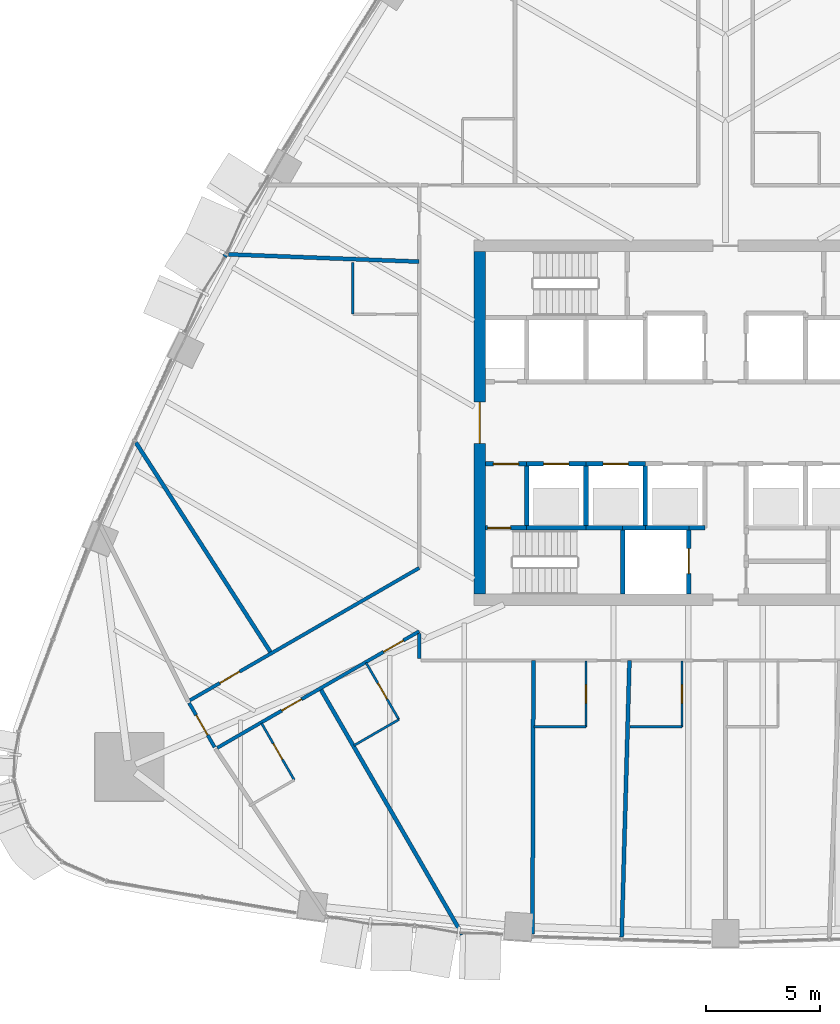
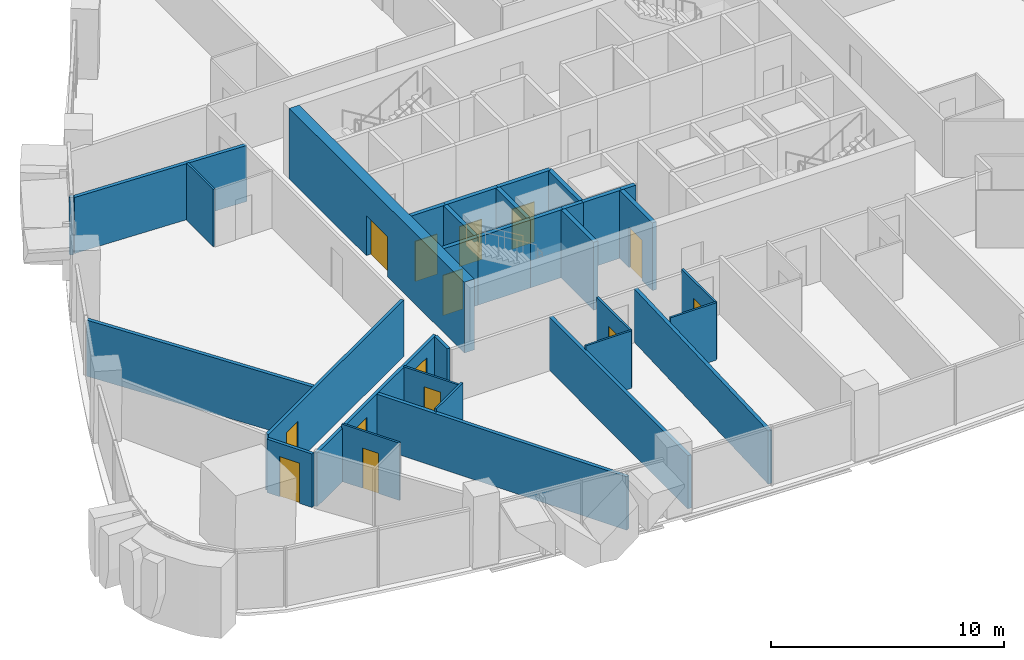
# One storey, part 10 of 18: 33 walls, 14 doors, 14 openings.
"""IFC4 building model written with IfcOpenShell, lengths in metres."""

from ifc_helpers import new_model, si_unit, direction, frame, frame_2d, origin, place, context, subcontext, project, spatial, rectangle, extrude, material, layer, layer_set, type_object, element, fill, save


model = new_model("IFC4")

# Units and contexts
model_context = context("Model", 3, precision=1e-05, world=origin(), true_north=direction((0.0, 1.0)))
body_context = subcontext(model_context, "Body", "Model", "MODEL_VIEW")
ifc_project = project(units=[si_unit("LENGTHUNIT", "METRE"), si_unit("AREAUNIT", "SQUARE_METRE"), si_unit("VOLUMEUNIT", "CUBIC_METRE"), si_unit("PLANEANGLEUNIT", "RADIAN"), si_unit("MASSUNIT", "GRAM", prefix="KILO")], contexts=[model_context])

# Site, building, storey
site_placement = place(None, origin())
site = spatial("IfcSite", under=ifc_project, at=site_placement, CompositionType="ELEMENT")
building_placement = place(site_placement, origin())
building = spatial("IfcBuilding", under=site, at=building_placement, Name="Sierra Prisma Convention Tower", CompositionType="ELEMENT")
storey_placement = place(building_placement, frame((0.0, 0.0, 85.0)))
storey = spatial("IfcBuildingStorey", under=building, at=storey_placement, Name="L17", CompositionType="ELEMENT", Elevation=85.0)

# Wall, opening, door
ifc_material_1 = material(Name="Gypsum board partition", Category="gypsum")
ifc_layer_1 = layer(ifc_material_1, 0.10009765625)
ifc_layer_set_1 = layer_set([ifc_layer_1], Name="Bathroom partition 100")
wall_type_1 = type_object("IfcWallType", Name="Bathroom partition 100", PredefinedType="PARTITIONING", material=ifc_layer_set_1)
wall_1_placement = place(storey_placement, frame((-20.299560546875, -13.14013671875, 0.0), z_axis=(0.0, 0.0, 1.0), x_axis=(0.499999802827, -0.866025517622, 0.0)))
wall_1 = element("IfcWall", 1, at=wall_1_placement, inside=storey, type_object=wall_type_1, Name="Partition L17 bath 1", PredefinedType="PARTITIONING", context=body_context, shape_type="SweptSolid", body=[
    extrude(rectangle(XDim=2.8701171875, YDim=0.10009765625, at=frame_2d((1.43505859375, 0.0))), origin(), (0.0, 0.0, 1.0), 3.0),
])
opening_1_placement = place(wall_1_placement, frame((1.034912109375, 0.0, 0.0)))
opening_1 = element("IfcOpeningElement", 2, at=opening_1_placement, cuts=wall_1, Name="Opening L17-D006", PredefinedType="OPENING", context=body_context, shape_type="SweptSolid", body=[
    extrude(rectangle(XDim=0.800048828125, YDim=2.10009765625, at=frame_2d((0.39990234375, 1.050048828125))), frame((0.0, 0.050048828125, 0.0), z_axis=(0.0, -1.0, 0.0), x_axis=(1.0, 0.0, 0.0)), (0.0, 0.0, 1.0), 0.10009765625),
])
ifc_material_2 = material(Name="Solid core timber door leaf", Category="wood")
door_type_1 = type_object("IfcDoorType", Name="Door 800x2100 plain", OperationType="SINGLE_SWING_LEFT", PredefinedType="DOOR", material=ifc_material_2)
door_1_placement = place(opening_1_placement, origin())
door_1 = element("IfcDoor", 3, at=door_1_placement, inside=storey, type_object=door_type_1, Name="Door L17 18", OperationType="SINGLE_SWING_LEFT", OverallHeight=2.10009765625, OverallWidth=0.800048828125, PredefinedType="DOOR", context=body_context, shape_type="SweptSolid", body=[
    extrude(rectangle(XDim=0.800048828125, YDim=2.10009765625, at=frame_2d((0.39990234375, 1.050048828125))), frame((0.0, 0.02490234375, 0.0), z_axis=(0.0, -1.0, 0.0), x_axis=(1.0, 0.0, 0.0)), (0.0, 0.0, 1.0), 0.050048828125),
])
fill(opening_1, door_1)

# Wall
wall_2_placement = place(storey_placement, frame((-16.300048828125, 4.7490234375, 0.0), z_axis=(0.0, 0.0, 1.0), x_axis=(0.0, 1.0, 0.0)))
element("IfcWall", 4, at=wall_2_placement, inside=storey, type_object=wall_type_1, Name="Partition L17 bath 4", PredefinedType="PARTITIONING", context=body_context, shape_type="SweptSolid", body=[
    extrude(rectangle(XDim=2.27001953125, YDim=0.10009765625, at=frame_2d((1.135009765625, 0.0))), origin(), (0.0, 0.0, 1.0), 3.0),
])

# Wall, opening, door
wall_3_placement = place(storey_placement, frame((-15.723388671875, -10.498046875, 0.0), z_axis=(0.0, 0.0, 1.0), x_axis=(0.499999802827, -0.866025517622, 0.0)))
wall_3 = element("IfcWall", 5, at=wall_3_placement, inside=storey, type_object=wall_type_1, Name="Partition L17 bath 5", PredefinedType="PARTITIONING", context=body_context, shape_type="SweptSolid", body=[
    extrude(rectangle(XDim=2.8701171875, YDim=0.10009765625, at=frame_2d((1.43505859375, 0.0))), origin(), (0.0, 0.0, 1.0), 2.797119140625),
])
opening_2_placement = place(wall_3_placement, frame((1.034912109375, 0.0, 0.0)))
opening_2 = element("IfcOpeningElement", 6, at=opening_2_placement, cuts=wall_3, Name="Opening L17-D007", PredefinedType="OPENING", context=body_context, shape_type="SweptSolid", body=[
    extrude(rectangle(XDim=0.800048828125, YDim=2.10009765625, at=frame_2d((0.39990234375, 1.050048828125))), frame((0.0, 0.050048828125, 0.0), z_axis=(0.0, -1.0, 0.0), x_axis=(1.0, 0.0, 0.0)), (0.0, 0.0, 1.0), 0.10009765625),
])
door_2_placement = place(opening_2_placement, origin())
door_2 = element("IfcDoor", 7, at=door_2_placement, inside=storey, type_object=door_type_1, Name="Door L17 20", OperationType="SINGLE_SWING_RIGHT", OverallHeight=2.10009765625, OverallWidth=0.800048828125, PredefinedType="DOOR", context=body_context, shape_type="SweptSolid", body=[
    extrude(rectangle(XDim=0.800048828125, YDim=2.10009765625, at=frame_2d((0.39990234375, 1.050048828125))), frame((0.0, 0.02490234375, 0.0), z_axis=(0.0, -1.0, 0.0), x_axis=(1.0, 0.0, 0.0)), (0.0, 0.0, 1.0), 0.050048828125),
])
fill(opening_2, door_2)

# Wall
wall_4_placement = place(storey_placement, frame((-14.288330078125, -12.983642578125, 0.0), z_axis=(0.0, 0.0, 1.0), x_axis=(-0.866017224141, -0.500014167291, 0.0)))
element("IfcWall", 8, at=wall_4_placement, inside=storey, type_object=wall_type_1, Name="Partition L17 bath 6", PredefinedType="PARTITIONING", context=body_context, shape_type="SweptSolid", body=[
    extrude(rectangle(XDim=2.27001953125, YDim=0.10009765625, at=frame_2d((1.135009765625, 0.0))), origin(), (0.0, 0.0, 1.0), 2.943115234375),
])

# Wall, opening, door
wall_5_placement = place(storey_placement, frame((-6.10009765625, -10.429931640625, 0.0), z_axis=(0.0, 0.0, 1.0), x_axis=(0.0, -1.0, 0.0)))
wall_5 = element("IfcWall", 9, at=wall_5_placement, inside=storey, type_object=wall_type_1, Name="Partition L17 bath 9", PredefinedType="PARTITIONING", context=body_context, shape_type="SweptSolid", body=[
    extrude(rectangle(XDim=2.8701171875, YDim=0.10009765625, at=frame_2d((1.43505859375, 0.0))), origin(), (0.0, 0.0, 1.0), 3.0),
])
opening_3_placement = place(wall_5_placement, frame((1.034912109375, 0.0, 0.0)))
opening_3 = element("IfcOpeningElement", 10, at=opening_3_placement, cuts=wall_5, Name="Opening L17-D008", PredefinedType="OPENING", context=body_context, shape_type="SweptSolid", body=[
    extrude(rectangle(XDim=0.800048828125, YDim=2.10009765625, at=frame_2d((0.39990234375, 1.050048828125))), frame((0.0, 0.050048828125, 0.0), z_axis=(0.0, -1.0, 0.0), x_axis=(1.0, 0.0, 0.0)), (0.0, 0.0, 1.0), 0.10009765625),
])
door_3_placement = place(opening_3_placement, origin())
door_3 = element("IfcDoor", 11, at=door_3_placement, inside=storey, type_object=door_type_1, Name="Door L17 22", OperationType="SINGLE_SWING_RIGHT", OverallHeight=2.10009765625, OverallWidth=0.800048828125, PredefinedType="DOOR", context=body_context, shape_type="SweptSolid", body=[
    extrude(rectangle(XDim=0.800048828125, YDim=2.10009765625, at=frame_2d((0.39990234375, 1.050048828125))), frame((0.0, 0.02490234375, 0.0), z_axis=(0.0, -1.0, 0.0), x_axis=(1.0, 0.0, 0.0)), (0.0, 0.0, 1.0), 0.050048828125),
])
fill(opening_3, door_3)

# Wall
wall_6_placement = place(storey_placement, frame((-6.10009765625, -13.300048828125, 0.0), z_axis=(0.0, 0.0, 1.0), x_axis=(-1.0, 0.0, 0.0)))
element("IfcWall", 12, at=wall_6_placement, inside=storey, type_object=wall_type_1, Name="Partition L17 bath 10", PredefinedType="PARTITIONING", context=body_context, shape_type="SweptSolid", body=[
    extrude(rectangle(XDim=2.27001953125, YDim=0.10009765625, at=frame_2d((1.135009765625, 0.0))), origin(), (0.0, 0.0, 1.0), 3.0),
])

# Wall, opening, door
wall_7_placement = place(storey_placement, frame((-1.89990234375, -10.429931640625, 0.0), z_axis=(0.0, 0.0, 1.0), x_axis=(0.0, -1.0, 0.0)))
wall_7 = element("IfcWall", 13, at=wall_7_placement, inside=storey, type_object=wall_type_1, Name="Partition L17 bath 11", PredefinedType="PARTITIONING", context=body_context, shape_type="SweptSolid", body=[
    extrude(rectangle(XDim=2.8701171875, YDim=0.10009765625, at=frame_2d((1.43505859375, 0.0))), origin(), (0.0, 0.0, 1.0), 3.0),
])
opening_4_placement = place(wall_7_placement, frame((1.034912109375, 0.0, 0.0)))
opening_4 = element("IfcOpeningElement", 14, at=opening_4_placement, cuts=wall_7, Name="Opening L17-D009", PredefinedType="OPENING", context=body_context, shape_type="SweptSolid", body=[
    extrude(rectangle(XDim=0.800048828125, YDim=2.10009765625, at=frame_2d((0.39990234375, 1.050048828125))), frame((0.0, 0.050048828125, 0.0), z_axis=(0.0, -1.0, 0.0), x_axis=(1.0, 0.0, 0.0)), (0.0, 0.0, 1.0), 0.10009765625),
])
door_4_placement = place(opening_4_placement, origin())
door_4 = element("IfcDoor", 15, at=door_4_placement, inside=storey, type_object=door_type_1, Name="Door L17 24", OperationType="SINGLE_SWING_LEFT", OverallHeight=2.10009765625, OverallWidth=0.800048828125, PredefinedType="DOOR", context=body_context, shape_type="SweptSolid", body=[
    extrude(rectangle(XDim=0.800048828125, YDim=2.10009765625, at=frame_2d((0.39990234375, 1.050048828125))), frame((0.0, 0.02490234375, 0.0), z_axis=(0.0, -1.0, 0.0), x_axis=(1.0, 0.0, 0.0)), (0.0, 0.0, 1.0), 0.050048828125),
])
fill(opening_4, door_4)

# Wall
wall_8_placement = place(storey_placement, frame((-1.89990234375, -13.300048828125, 0.0), z_axis=(0.0, 0.0, 1.0), x_axis=(-1.0, 0.0, 0.0)))
element("IfcWall", 16, at=wall_8_placement, inside=storey, type_object=wall_type_1, Name="Partition L17 bath 12", PredefinedType="PARTITIONING", context=body_context, shape_type="SweptSolid", body=[
    extrude(rectangle(XDim=2.27001953125, YDim=0.10009765625, at=frame_2d((1.135009765625, 0.0))), origin(), (0.0, 0.0, 1.0), 3.0),
])

# Wall, opening, door
ifc_material_3 = material(Name="Concrete C30/37", Category="concrete")
ifc_layer_2 = layer(ifc_material_3, 0.199951171875)
ifc_layer_set_2 = layer_set([ifc_layer_2], Name="Core wall RC 200 C30/37")
wall_type_2 = type_object("IfcWallType", Name="Core wall RC 200 C30/37", PredefinedType="SOLIDWALL", material=ifc_layer_set_2)
wall_9_placement = place(storey_placement, frame((-10.5, -4.60009765625, 0.0), z_axis=(0.0, 0.0, 1.0), x_axis=(1.0, 0.0, 0.0)))
wall_9 = element("IfcWall", 17, at=wall_9_placement, inside=storey, type_object=wall_type_2, Name="Core wall L17 1", PredefinedType="SOLIDWALL", context=body_context, shape_type="SweptSolid", body=[
    extrude(rectangle(XDim=1.800048828125, YDim=0.199951171875, at=frame_2d((0.89990234375, 0.0))), origin(), (0.0, 0.0, 1.0), 3.550048828125),
])
opening_5_placement = place(wall_9_placement, frame((0.10009765625, 0.0, 0.0)))
opening_5 = element("IfcOpeningElement", 18, at=opening_5_placement, cuts=wall_9, Name="Opening L17-D030", PredefinedType="OPENING", context=body_context, shape_type="SweptSolid", body=[
    extrude(rectangle(XDim=1.0, YDim=2.10009765625, at=frame_2d((0.5, 1.050048828125))), frame((0.0, 0.10009765625, 0.0), z_axis=(0.0, -1.0, 0.0), x_axis=(1.0, 0.0, 0.0)), (0.0, 0.0, 1.0), 0.199951171875),
])
ifc_material_4 = material(Name="Steel fire door leaf", Category="steel")
door_type_2 = type_object("IfcDoorType", Name="Door 1000x2100 FD90S", OperationType="SINGLE_SWING_LEFT", PredefinedType="DOOR", material=ifc_material_4)
door_5_placement = place(opening_5_placement, origin())
door_5 = element("IfcDoor", 19, at=door_5_placement, inside=storey, type_object=door_type_2, Name="Door L17 51", OperationType="SINGLE_SWING_LEFT", OverallHeight=2.10009765625, OverallWidth=1.0, PredefinedType="DOOR", context=body_context, shape_type="SweptSolid", body=[
    extrude(rectangle(XDim=1.0, YDim=2.10009765625, at=frame_2d((0.5, 1.050048828125))), frame((0.0, 0.02490234375, 0.0), z_axis=(0.0, -1.0, 0.0), x_axis=(1.0, 0.0, 0.0)), (0.0, 0.0, 1.0), 0.050048828125),
])
fill(opening_5, door_5)

wall_10_placement = place(storey_placement, frame((-10.5, -1.800048828125, 0.0), z_axis=(0.0, 0.0, 1.0), x_axis=(1.0, 0.0, 0.0)))
wall_10 = element("IfcWall", 20, at=wall_10_placement, inside=storey, type_object=wall_type_2, Name="Core wall L17 2", PredefinedType="SOLIDWALL", context=body_context, shape_type="SweptSolid", body=[
    extrude(rectangle(XDim=1.800048828125, YDim=0.199951171875, at=frame_2d((0.89990234375, 0.0))), origin(), (0.0, 0.0, 1.0), 3.550048828125),
])
opening_6_placement = place(wall_10_placement, frame((0.35009765625, 0.0, 0.0)))
opening_6 = element("IfcOpeningElement", 21, at=opening_6_placement, cuts=wall_10, Name="Opening L17-D024", PredefinedType="OPENING", context=body_context, shape_type="SweptSolid", body=[
    extrude(rectangle(XDim=1.10009765625, YDim=2.10009765625, at=frame_2d((0.550048828125, 1.050048828125))), frame((0.0, 0.10009765625, 0.0), z_axis=(0.0, -1.0, 0.0), x_axis=(1.0, 0.0, 0.0)), (0.0, 0.0, 1.0), 0.199951171875),
])
ifc_material_5 = material(Name="Steel fire door leaf", Category="steel")
door_type_3 = type_object("IfcDoorType", Name="Door 1100x2100 FD90S", OperationType="SINGLE_SWING_LEFT", PredefinedType="DOOR", material=ifc_material_5)
door_6_placement = place(opening_6_placement, origin())
door_6 = element("IfcDoor", 22, at=door_6_placement, inside=storey, type_object=door_type_3, Name="Door L17 45", OperationType="SINGLE_SWING_RIGHT", OverallHeight=2.10009765625, OverallWidth=1.10009765625, PredefinedType="DOOR", context=body_context, shape_type="SweptSolid", body=[
    extrude(rectangle(XDim=1.10009765625, YDim=2.10009765625, at=frame_2d((0.550048828125, 1.050048828125))), frame((0.0, 0.02490234375, 0.0), z_axis=(0.0, -1.0, 0.0), x_axis=(1.0, 0.0, 0.0)), (0.0, 0.0, 1.0), 0.050048828125),
])
fill(opening_6, door_6)

# Walls
wall_11_placement = place(storey_placement, frame((-8.699951171875, -4.60009765625, 0.0), z_axis=(0.0, 0.0, 1.0), x_axis=(1.0, 0.0, 0.0)))
element("IfcWall", 23, at=wall_11_placement, inside=storey, type_object=wall_type_2, Name="Core wall L17 5", PredefinedType="SOLIDWALL", context=body_context, shape_type="SweptSolid", body=[
    extrude(rectangle(XDim=2.599853515625, YDim=0.199951171875, at=frame_2d((1.2998046875, 0.0))), origin(), (0.0, 0.0, 1.0), 3.550048828125),
])
wall_12_placement = place(storey_placement, frame((-8.699951171875, -4.60009765625, 0.0), z_axis=(0.0, 0.0, 1.0), x_axis=(0.0, 1.0, 0.0)))
element("IfcWall", 24, at=wall_12_placement, inside=storey, type_object=wall_type_2, Name="Core wall L17 6", PredefinedType="SOLIDWALL", context=body_context, shape_type="SweptSolid", body=[
    extrude(rectangle(XDim=2.800048828125, YDim=0.199951171875, at=frame_2d((1.39990234375, 0.0))), origin(), (0.0, 0.0, 1.0), 3.550048828125),
])

# Wall, opening, door
wall_13_placement = place(storey_placement, frame((-8.699951171875, -1.800048828125, 0.0), z_axis=(0.0, 0.0, 1.0), x_axis=(1.0, 0.0, 0.0)))
wall_13 = element("IfcWall", 25, at=wall_13_placement, inside=storey, type_object=wall_type_2, Name="Core wall L17 7", PredefinedType="SOLIDWALL", context=body_context, shape_type="SweptSolid", body=[
    extrude(rectangle(XDim=2.599853515625, YDim=0.199951171875, at=frame_2d((1.2998046875, 0.0))), origin(), (0.0, 0.0, 1.0), 3.550048828125),
])
opening_7_placement = place(wall_13_placement, frame((0.75, 0.0, 0.0)))
opening_7 = element("IfcOpeningElement", 26, at=opening_7_placement, cuts=wall_13, Name="Opening L17-D015", PredefinedType="OPENING", context=body_context, shape_type="SweptSolid", body=[
    extrude(rectangle(XDim=1.10009765625, YDim=2.10009765625, at=frame_2d((0.550048828125, 1.050048828125))), frame((0.0, 0.10009765625, 0.0), z_axis=(0.0, -1.0, 0.0), x_axis=(1.0, 0.0, 0.0)), (0.0, 0.0, 1.0), 0.199951171875),
])
ifc_material_6 = material(Name="Steel fire door leaf", Category="steel")
door_type_4 = type_object("IfcDoorType", Name="Door 1100x2100 EI 90 sliding lift landing", OperationType="SLIDING_TO_LEFT", PredefinedType="DOOR", material=ifc_material_6)
door_7_placement = place(opening_7_placement, origin())
door_7 = element("IfcDoor", 27, at=door_7_placement, inside=storey, type_object=door_type_4, Name="Door L17 36", OperationType="SLIDING_TO_RIGHT", OverallHeight=2.10009765625, OverallWidth=1.10009765625, PredefinedType="DOOR", context=body_context, shape_type="SweptSolid", body=[
    extrude(rectangle(XDim=1.10009765625, YDim=2.10009765625, at=frame_2d((0.550048828125, 1.050048828125))), frame((0.0, 0.02490234375, 0.0), z_axis=(0.0, -1.0, 0.0), x_axis=(1.0, 0.0, 0.0)), (0.0, 0.0, 1.0), 0.050048828125),
])
fill(opening_7, door_7)

# Walls
wall_14_placement = place(storey_placement, frame((-6.10009765625, -4.60009765625, 0.0), z_axis=(0.0, 0.0, 1.0), x_axis=(1.0, 0.0, 0.0)))
element("IfcWall", 28, at=wall_14_placement, inside=storey, type_object=wall_type_2, Name="Core wall L17 11", PredefinedType="SOLIDWALL", context=body_context, shape_type="SweptSolid", body=[
    extrude(rectangle(XDim=1.60009765625, YDim=0.199951171875, at=frame_2d((0.800048828125, 0.0))), origin(), (0.0, 0.0, 1.0), 3.550048828125),
])
wall_15_placement = place(storey_placement, frame((-6.10009765625, -4.60009765625, 0.0), z_axis=(0.0, 0.0, 1.0), x_axis=(0.0, 1.0, 0.0)))
element("IfcWall", 29, at=wall_15_placement, inside=storey, type_object=wall_type_2, Name="Core wall L17 12", PredefinedType="SOLIDWALL", context=body_context, shape_type="SweptSolid", body=[
    extrude(rectangle(XDim=2.800048828125, YDim=0.199951171875, at=frame_2d((1.39990234375, 0.0))), origin(), (0.0, 0.0, 1.0), 3.550048828125),
])

# Wall, opening, door
wall_16_placement = place(storey_placement, frame((-6.10009765625, -1.800048828125, 0.0), z_axis=(0.0, 0.0, 1.0), x_axis=(1.0, 0.0, 0.0)))
wall_16 = element("IfcWall", 30, at=wall_16_placement, inside=storey, type_object=wall_type_2, Name="Core wall L17 13", PredefinedType="SOLIDWALL", context=body_context, shape_type="SweptSolid", body=[
    extrude(rectangle(XDim=2.60009765625, YDim=0.199951171875, at=frame_2d((1.300048828125, 0.0))), origin(), (0.0, 0.0, 1.0), 3.550048828125),
])
opening_8_placement = place(wall_16_placement, frame((0.75, 0.0, 0.0)))
opening_8 = element("IfcOpeningElement", 31, at=opening_8_placement, cuts=wall_16, Name="Opening L17-D016", PredefinedType="OPENING", context=body_context, shape_type="SweptSolid", body=[
    extrude(rectangle(XDim=1.10009765625, YDim=2.10009765625, at=frame_2d((0.550048828125, 1.050048828125))), frame((0.0, 0.10009765625, 0.0), z_axis=(0.0, -1.0, 0.0), x_axis=(1.0, 0.0, 0.0)), (0.0, 0.0, 1.0), 0.199951171875),
])
door_8_placement = place(opening_8_placement, origin())
door_8 = element("IfcDoor", 32, at=door_8_placement, inside=storey, type_object=door_type_4, Name="Door L17 37", OperationType="SLIDING_TO_RIGHT", OverallHeight=2.10009765625, OverallWidth=1.10009765625, PredefinedType="DOOR", context=body_context, shape_type="SweptSolid", body=[
    extrude(rectangle(XDim=1.10009765625, YDim=2.10009765625, at=frame_2d((0.550048828125, 1.050048828125))), frame((0.0, 0.02490234375, 0.0), z_axis=(0.0, -1.0, 0.0), x_axis=(1.0, 0.0, 0.0)), (0.0, 0.0, 1.0), 0.050048828125),
])
fill(opening_8, door_8)

# Walls
wall_17_placement = place(storey_placement, frame((-4.5, -4.60009765625, 0.0), z_axis=(0.0, 0.0, 1.0), x_axis=(0.0, -1.0, 0.0)))
element("IfcWall", 33, at=wall_17_placement, inside=storey, type_object=wall_type_2, Name="Core wall L17 17", PredefinedType="SOLIDWALL", context=body_context, shape_type="SweptSolid", body=[
    extrude(rectangle(XDim=2.89990234375, YDim=0.199951171875, at=frame_2d((1.449951171875, 0.0))), origin(), (0.0, 0.0, 1.0), 3.550048828125),
])
wall_18_placement = place(storey_placement, frame((-4.5, -4.60009765625, 0.0), z_axis=(0.0, 0.0, 1.0), x_axis=(1.0, 0.0, 0.0)))
element("IfcWall", 34, at=wall_18_placement, inside=storey, type_object=wall_type_2, Name="Core wall L17 18", PredefinedType="SOLIDWALL", context=body_context, shape_type="SweptSolid", body=[
    extrude(rectangle(XDim=1.0, YDim=0.199951171875, at=frame_2d((0.5, 0.0))), origin(), (0.0, 0.0, 1.0), 3.550048828125),
])
wall_19_placement = place(storey_placement, frame((-3.5, -4.60009765625, 0.0), z_axis=(0.0, 0.0, 1.0), x_axis=(1.0, 0.0, 0.0)))
element("IfcWall", 35, at=wall_19_placement, inside=storey, type_object=wall_type_2, Name="Core wall L17 21", PredefinedType="SOLIDWALL", context=body_context, shape_type="SweptSolid", body=[
    extrude(rectangle(XDim=1.89990234375, YDim=0.199951171875, at=frame_2d((0.949951171875, 0.0))), origin(), (0.0, 0.0, 1.0), 3.550048828125),
])
wall_20_placement = place(storey_placement, frame((-3.5, -4.60009765625, 0.0), z_axis=(0.0, 0.0, 1.0), x_axis=(0.0, 1.0, 0.0)))
element("IfcWall", 36, at=wall_20_placement, inside=storey, type_object=wall_type_2, Name="Core wall L17 22", PredefinedType="SOLIDWALL", context=body_context, shape_type="SweptSolid", body=[
    extrude(rectangle(XDim=2.800048828125, YDim=0.199951171875, at=frame_2d((1.39990234375, 0.0))), origin(), (0.0, 0.0, 1.0), 3.550048828125),
])

# Wall, opening, door
wall_21_placement = place(storey_placement, frame((-1.60009765625, -7.5, 0.0), z_axis=(0.0, 0.0, 1.0), x_axis=(0.0, 1.0, 0.0)))
wall_21 = element("IfcWall", 37, at=wall_21_placement, inside=storey, type_object=wall_type_2, Name="Core wall L17 29", PredefinedType="SOLIDWALL", context=body_context, shape_type="SweptSolid", body=[
    extrude(rectangle(XDim=2.89990234375, YDim=0.199951171875, at=frame_2d((1.449951171875, 0.0))), origin(), (0.0, 0.0, 1.0), 3.550048828125),
])
opening_9_placement = place(wall_21_placement, frame((0.89990234375, 0.0, 0.0)))
opening_9 = element("IfcOpeningElement", 38, at=opening_9_placement, cuts=wall_21, Name="Opening L17-D023", PredefinedType="OPENING", context=body_context, shape_type="SweptSolid", body=[
    extrude(rectangle(XDim=1.10009765625, YDim=2.10009765625, at=frame_2d((0.550048828125, 1.050048828125))), frame((0.0, 0.10009765625, 0.0), z_axis=(0.0, -1.0, 0.0), x_axis=(1.0, 0.0, 0.0)), (0.0, 0.0, 1.0), 0.199951171875),
])
door_9_placement = place(opening_9_placement, origin())
door_9 = element("IfcDoor", 39, at=door_9_placement, inside=storey, type_object=door_type_4, Name="Door L17 44", OperationType="SLIDING_TO_RIGHT", OverallHeight=2.10009765625, OverallWidth=1.10009765625, PredefinedType="DOOR", context=body_context, shape_type="SweptSolid", body=[
    extrude(rectangle(XDim=1.10009765625, YDim=2.10009765625, at=frame_2d((0.550048828125, 1.050048828125))), frame((0.0, 0.02490234375, 0.0), z_axis=(0.0, -1.0, 0.0), x_axis=(1.0, 0.0, 0.0)), (0.0, 0.0, 1.0), 0.050048828125),
])
fill(opening_9, door_9)

# Wall
wall_22_placement = place(storey_placement, frame((-1.60009765625, -4.60009765625, 0.0), z_axis=(0.0, 0.0, 1.0), x_axis=(1.0, 0.0, 0.0)))
element("IfcWall", 40, at=wall_22_placement, inside=storey, type_object=wall_type_2, Name="Core wall L17 30", PredefinedType="SOLIDWALL", context=body_context, shape_type="SweptSolid", body=[
    extrude(rectangle(XDim=0.7001953125, YDim=0.199951171875, at=frame_2d((0.35009765625, 0.0))), origin(), (0.0, 0.0, 1.0), 3.550048828125),
])

# Wall, opening, door
ifc_material_7 = material(Name="Concrete C60/75", Category="concrete")
ifc_layer_3 = layer(ifc_material_7, 0.5)
ifc_layer_set_3 = layer_set([ifc_layer_3], Name="Core wall RC 500 C60/75")
wall_type_3 = type_object("IfcWallType", Name="Core wall RC 500 C60/75", PredefinedType="SHEAR", material=ifc_layer_set_3)
wall_23_placement = place(storey_placement, frame((-10.75, -7.5, 0.0), z_axis=(0.0, 0.0, 1.0), x_axis=(0.0, 1.0, 0.0)))
wall_23 = element("IfcWall", 41, at=wall_23_placement, inside=storey, type_object=wall_type_3, Name="Core wall W L17", PredefinedType="SHEAR", context=body_context, shape_type="SweptSolid", body=[
    extrude(rectangle(XDim=15.0, YDim=0.5, at=frame_2d((7.5, 0.0))), origin(), (0.0, 0.0, 1.0), 3.699951171875),
])
opening_10_placement = place(wall_23_placement, frame((6.60009765625, 0.0, 0.0)))
opening_10 = element("IfcOpeningElement", 42, at=opening_10_placement, cuts=wall_23, Name="Opening L17-D060", PredefinedType="OPENING", context=body_context, shape_type="SweptSolid", body=[
    extrude(rectangle(XDim=1.800048828125, YDim=2.10009765625, at=frame_2d((0.89990234375, 1.050048828125))), frame((0.0, 0.25, 0.0), z_axis=(0.0, -1.0, 0.0), x_axis=(1.0, 0.0, 0.0)), (0.0, 0.0, 1.0), 0.5),
])
ifc_material_8 = material(Name="Steel fire door leaf", Category="steel")
door_type_5 = type_object("IfcDoorType", Name="Door 1800x2100 FD60S", OperationType="DOUBLE_DOOR_SINGLE_SWING", PredefinedType="DOOR", material=ifc_material_8)
door_10_placement = place(opening_10_placement, origin())
door_10 = element("IfcDoor", 43, at=door_10_placement, inside=storey, type_object=door_type_5, Name="Door L17 57", OperationType="DOUBLE_DOOR_SINGLE_SWING", OverallHeight=2.10009765625, OverallWidth=1.800048828125, PredefinedType="DOOR", context=body_context, shape_type="SweptSolid", body=[
    extrude(rectangle(XDim=1.800048828125, YDim=2.10009765625, at=frame_2d((0.89990234375, 1.050048828125))), frame((0.0, 0.02490234375, 0.0), z_axis=(0.0, -1.0, 0.0), x_axis=(1.0, 0.0, 0.0)), (0.0, 0.0, 1.0), 0.050048828125),
])
fill(opening_10, door_10)

ifc_material_9 = material(Name="Gypsum board partition", Category="gypsum")
ifc_layer_4 = layer(ifc_material_9, 0.14990234375)
ifc_layer_set_4 = layer_set([ifc_layer_4], Name="Corridor wall 150 gypsum EI 60")
wall_type_4 = type_object("IfcWallType", Name="Corridor wall 150 gypsum EI 60", PredefinedType="PARTITIONING", material=ifc_layer_set_4)
wall_24_placement = place(storey_placement, frame((-23.46630859375, -12.255126953125, 0.0), z_axis=(0.0, 0.0, 1.0), x_axis=(0.49994888933, -0.866054910533, 0.0)))
wall_24 = element("IfcWall", 44, at=wall_24_placement, inside=storey, type_object=wall_type_4, Name="Partition L17 corr 1", PredefinedType="PARTITIONING", context=body_context, shape_type="SweptSolid", body=[
    extrude(rectangle(XDim=2.239990234375, YDim=0.14990234375, at=frame_2d((1.1201171875, 0.0))), origin(), (0.0, 0.0, 1.0), 2.797119140625),
])
opening_11_placement = place(wall_24_placement, frame((0.6201171875, 0.0, 0.0)))
opening_11 = element("IfcOpeningElement", 45, at=opening_11_placement, cuts=wall_24, Name="Opening L17-D046", PredefinedType="OPENING", context=body_context, shape_type="SweptSolid", body=[
    extrude(rectangle(XDim=1.0, YDim=2.10009765625, at=frame_2d((0.5, 1.050048828125))), frame((0.0, 0.074951171875, 0.0), z_axis=(0.0, -1.0, 0.0), x_axis=(1.0, 0.0, 0.0)), (0.0, 0.0, 1.0), 0.14990234375),
])
ifc_material_10 = material(Name="Steel fire door leaf", Category="steel")
door_type_6 = type_object("IfcDoorType", Name="Door 1000x2100 FD30S", OperationType="SINGLE_SWING_LEFT", PredefinedType="DOOR", material=ifc_material_10)
door_11_placement = place(opening_11_placement, origin())
door_11 = element("IfcDoor", 46, at=door_11_placement, inside=storey, type_object=door_type_6, Name="Door L17 16", OperationType="SINGLE_SWING_RIGHT", OverallHeight=2.10009765625, OverallWidth=1.0, PredefinedType="DOOR", context=body_context, shape_type="SweptSolid", body=[
    extrude(rectangle(XDim=1.0, YDim=2.10009765625, at=frame_2d((0.5, 1.050048828125))), frame((0.0, 0.02490234375, 0.0), z_axis=(0.0, -1.0, 0.0), x_axis=(1.0, 0.0, 0.0)), (0.0, 0.0, 1.0), 0.050048828125),
])
fill(opening_11, door_11)

wall_25_placement = place(storey_placement, frame((-13.39990234375, -6.350830078125, 0.0), z_axis=(0.0, 0.0, 1.0), x_axis=(-0.866025625133, -0.499999616612, 0.0)))
wall_25 = element("IfcWall", 47, at=wall_25_placement, inside=storey, type_object=wall_type_4, Name="Partition L17 corr 3", PredefinedType="PARTITIONING", context=body_context, shape_type="SweptSolid", body=[
    extrude(rectangle(XDim=11.58984375, YDim=0.14990234375, at=frame_2d((5.794921875, 0.0))), origin(), (0.0, 0.0, 1.0), 2.947021484375),
])
opening_12_placement = place(wall_25_placement, frame((9.06982421875, 0.0, 0.0)))
opening_12 = element("IfcOpeningElement", 48, at=opening_12_placement, cuts=wall_25, Name="Opening L17-D045", PredefinedType="OPENING", context=body_context, shape_type="SweptSolid", body=[
    extrude(rectangle(XDim=1.0, YDim=2.10009765625, at=frame_2d((0.5, 1.050048828125))), frame((0.0, 0.074951171875, 0.0), z_axis=(0.0, -1.0, 0.0), x_axis=(1.0, 0.0, 0.0)), (0.0, 0.0, 1.0), 0.14990234375),
])
door_12_placement = place(opening_12_placement, origin())
door_12 = element("IfcDoor", 49, at=door_12_placement, inside=storey, type_object=door_type_6, Name="Door L17 15", OperationType="SINGLE_SWING_LEFT", OverallHeight=2.10009765625, OverallWidth=1.0, PredefinedType="DOOR", context=body_context, shape_type="SweptSolid", body=[
    extrude(rectangle(XDim=1.0, YDim=2.10009765625, at=frame_2d((0.5, 1.050048828125))), frame((0.0, 0.02490234375, 0.0), z_axis=(0.0, -1.0, 0.0), x_axis=(1.0, 0.0, 0.0)), (0.0, 0.0, 1.0), 0.050048828125),
])
fill(opening_12, door_12)

# Wall, openings, doors
wall_26_placement = place(storey_placement, frame((-22.237060546875, -14.224365234375, 0.0), z_axis=(0.0, 0.0, 1.0), x_axis=(0.866018645883, 0.500011704846, 0.0)))
wall_26 = element("IfcWall", 50, at=wall_26_placement, inside=storey, type_object=wall_type_4, Name="Partition L17 corr 4", PredefinedType="PARTITIONING", context=body_context, shape_type="SweptSolid", body=[
    extrude(rectangle(XDim=10.204345703125, YDim=0.14990234375, at=frame_2d((5.10205078125, 0.0))), origin(), (0.0, 0.0, 1.0), 2.797119140625),
])
opening_13_placement = place(wall_26_placement, frame((3.26220703125, 0.0, 0.0)))
opening_13 = element("IfcOpeningElement", 51, at=opening_13_placement, cuts=wall_26, Name="Opening L17-D047", PredefinedType="OPENING", context=body_context, shape_type="SweptSolid", body=[
    extrude(rectangle(XDim=1.0, YDim=2.10009765625, at=frame_2d((0.5, 1.050048828125))), frame((0.0, 0.074951171875, 0.0), z_axis=(0.0, -1.0, 0.0), x_axis=(1.0, 0.0, 0.0)), (0.0, 0.0, 1.0), 0.14990234375),
])
opening_14_placement = place(wall_26_placement, frame((8.404296875, 0.0, 0.0)))
opening_14 = element("IfcOpeningElement", 52, at=opening_14_placement, cuts=wall_26, Name="Opening L17-D048", PredefinedType="OPENING", context=body_context, shape_type="SweptSolid", body=[
    extrude(rectangle(XDim=1.0, YDim=2.10009765625, at=frame_2d((0.5, 1.050048828125))), frame((0.0, 0.074951171875, 0.0), z_axis=(0.0, -1.0, 0.0), x_axis=(1.0, 0.0, 0.0)), (0.0, 0.0, 1.0), 0.14990234375),
])
door_13_placement = place(opening_13_placement, origin())
door_13 = element("IfcDoor", 53, at=door_13_placement, inside=storey, type_object=door_type_6, Name="Door L17 17", OperationType="SINGLE_SWING_LEFT", OverallHeight=2.10009765625, OverallWidth=1.0, PredefinedType="DOOR", context=body_context, shape_type="SweptSolid", body=[
    extrude(rectangle(XDim=1.0, YDim=2.10009765625, at=frame_2d((0.5, 1.050048828125))), frame((0.0, 0.02490234375, 0.0), z_axis=(0.0, -1.0, 0.0), x_axis=(1.0, 0.0, 0.0)), (0.0, 0.0, 1.0), 0.050048828125),
])
fill(opening_13, door_13)
door_14_placement = place(opening_14_placement, origin())
door_14 = element("IfcDoor", 54, at=door_14_placement, inside=storey, type_object=door_type_6, Name="Door L17 19", OperationType="SINGLE_SWING_LEFT", OverallHeight=2.10009765625, OverallWidth=1.0, PredefinedType="DOOR", context=body_context, shape_type="SweptSolid", body=[
    extrude(rectangle(XDim=1.0, YDim=2.10009765625, at=frame_2d((0.5, 1.050048828125))), frame((0.0, 0.02490234375, 0.0), z_axis=(0.0, -1.0, 0.0), x_axis=(1.0, 0.0, 0.0)), (0.0, 0.0, 1.0), 0.050048828125),
])
fill(opening_14, door_14)

# Walls
wall_27_placement = place(storey_placement, frame((-13.39990234375, -9.213623046875, 0.0), z_axis=(0.0, 0.0, 1.0), x_axis=(0.0, -1.0, 0.0)))
element("IfcWall", 55, at=wall_27_placement, inside=storey, type_object=wall_type_4, Name="Partition L17 corr 5", PredefinedType="PARTITIONING", context=body_context, shape_type="SweptSolid", body=[
    extrude(rectangle(XDim=1.1064453125, YDim=0.14990234375, at=frame_2d((0.55322265625, 0.0))), origin(), (0.0, 0.0, 1.0), 2.797119140625),
])
ifc_material_11 = material(Name="Acoustic gypsum board partition", Category="gypsum")
ifc_layer_5 = layer(ifc_material_11, 0.175048828125)
ifc_layer_set_5 = layer_set([ifc_layer_5], Name="Guest room party wall 175 acoustic EI 60")
wall_type_5 = type_object("IfcWallType", Name="Guest room party wall 175 acoustic EI 60", PredefinedType="PARTITIONING", material=ifc_layer_set_5)
wall_28_placement = place(storey_placement, frame((-19.869140625, -10.085693359375, 0.0), z_axis=(0.0, 0.0, 1.0), x_axis=(-0.540525739179, 0.841327478028, 0.0)))
element("IfcWall", 56, at=wall_28_placement, inside=storey, type_object=wall_type_5, Name="Partition L17 hparty 2", PredefinedType="PARTITIONING", context=body_context, shape_type="SweptSolid", body=[
    extrude(rectangle(XDim=10.96435546875, YDim=0.175048828125, at=frame_2d((5.482177734375, 0.0))), origin(), (0.0, 0.0, 1.0), 2.93408203125),
])
wall_29_placement = place(storey_placement, frame((-21.78857421875, 7.28076171875, 0.0), z_axis=(0.0, 0.0, 1.0), x_axis=(-0.768540956149, 0.639800592936, 0.0)))
element("IfcWall", 57, at=wall_29_placement, inside=storey, type_object=wall_type_5, Name="Partition L17 hparty 4", PredefinedType="PARTITIONING", context=body_context, shape_type="SweptSolid", body=[
    extrude(rectangle(XDim=0.187744140625, YDim=0.175048828125, at=frame_2d((0.09375, 0.0))), origin(), (0.0, 0.0, 1.0), 3.0),
])
wall_30_placement = place(storey_placement, frame((-21.738525390625, 7.367431640625, 0.0), z_axis=(0.0, 0.0, 1.0), x_axis=(0.999271981954, -0.038151095432, 0.0)))
element("IfcWall", 58, at=wall_30_placement, inside=storey, type_object=wall_type_5, Name="Partition L17 hparty 5", PredefinedType="PARTITIONING", context=body_context, shape_type="SweptSolid", body=[
    extrude(rectangle(XDim=8.3447265625, YDim=0.175048828125, at=frame_2d((4.17236328125, 0.0))), origin(), (0.0, 0.0, 1.0), 2.93408203125),
])
wall_31_placement = place(storey_placement, frame((-17.72998046875, -11.6220703125, 0.0), z_axis=(0.0, 0.0, 1.0), x_axis=(0.499981892896, -0.866035857673, 0.0)))
element("IfcWall", 59, at=wall_31_placement, inside=storey, type_object=wall_type_5, Name="Partition L17 hparty 7", PredefinedType="PARTITIONING", context=body_context, shape_type="SweptSolid", body=[
    extrude(rectangle(XDim=12.43603515625, YDim=0.175048828125, at=frame_2d((6.218017578125, 0.0))), origin(), (0.0, 0.0, 1.0), 2.783935546875),
])
wall_32_placement = place(storey_placement, frame((-8.39990234375, -10.39990234375, 0.0), z_axis=(0.0, 0.0, 1.0), x_axis=(-0.003610968563, -0.999993480432, 0.0)))
element("IfcWall", 60, at=wall_32_placement, inside=storey, type_object=wall_type_5, Name="Partition L17 hparty 9", PredefinedType="PARTITIONING", context=body_context, shape_type="SweptSolid", body=[
    extrude(rectangle(XDim=11.967041015625, YDim=0.175048828125, at=frame_2d((5.9833984375, 0.0))), origin(), (0.0, 0.0, 1.0), 2.783935546875),
])
wall_33_placement = place(storey_placement, frame((-4.199951171875, -10.39990234375, 0.0), z_axis=(0.0, 0.0, 1.0), x_axis=(-0.028002254574, -0.999607859982, 0.0)))
element("IfcWall", 61, at=wall_33_placement, inside=storey, type_object=wall_type_5, Name="Partition L17 hparty 11", PredefinedType="PARTITIONING", context=body_context, shape_type="SweptSolid", body=[
    extrude(rectangle(XDim=12.101318359375, YDim=0.175048828125, at=frame_2d((6.05078125, 0.0))), origin(), (0.0, 0.0, 1.0), 2.783935546875),
])

save(model, "model.ifc")
